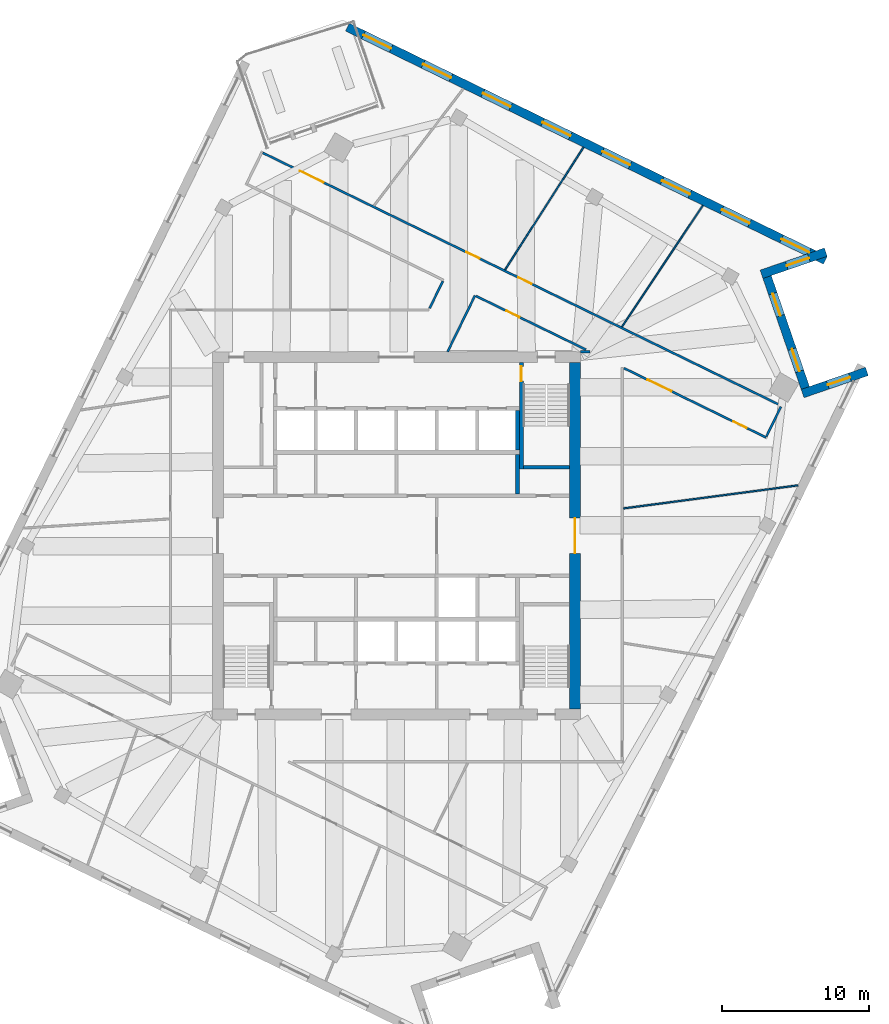
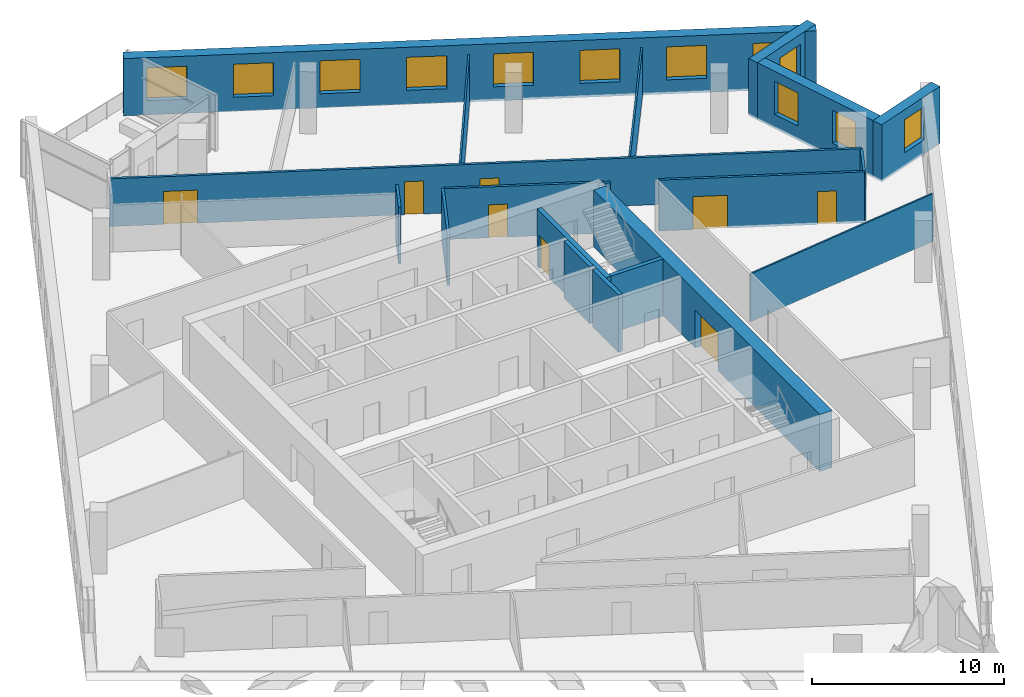
# One storey, part 10 of 13: 19 walls, 12 windows, 8 doors, 20 openings.
"""IFC4 building model written with IfcOpenShell, lengths in metres."""

from ifc_helpers import new_model, si_unit, direction, frame, frame_2d, origin, place, context, subcontext, project, spatial, rectangle, extrude, material, layer, layer_set, type_object, element, fill, save


model = new_model("IFC4")

# Units and contexts
model_context = context("Model", 3, precision=1e-05, world=origin(), true_north=direction((0.0, 1.0)))
body_context = subcontext(model_context, "Body", "Model", "MODEL_VIEW")
ifc_project = project(units=[si_unit("LENGTHUNIT", "METRE"), si_unit("AREAUNIT", "SQUARE_METRE"), si_unit("VOLUMEUNIT", "CUBIC_METRE"), si_unit("PLANEANGLEUNIT", "RADIAN"), si_unit("MASSUNIT", "GRAM", prefix="KILO")], contexts=[model_context])

# Site, building, storey
site_placement = place(None, origin())
site = spatial("IfcSite", under=ifc_project, at=site_placement, CompositionType="ELEMENT")
building_placement = place(site_placement, origin())
building = spatial("IfcBuilding", under=site, at=building_placement, Name="Dilmun Exchange Tower", CompositionType="ELEMENT")
storey_placement = place(building_placement, frame((0.0, 0.0, 282.89990234375)))
storey = spatial("IfcBuildingStorey", under=building, at=storey_placement, Name="L67", CompositionType="ELEMENT", Elevation=282.89990234375)

# Wall
ifc_material_1 = material(Name="Concrete C40/50", Category="concrete")
ifc_layer_1 = layer(ifc_material_1, 0.25)
ifc_layer_set_1 = layer_set([ifc_layer_1], Name="Concrete C40/50")
wall_type_1 = type_object("IfcWallType", Name="Core partition wall 250", PredefinedType="PARTITIONING", material=ifc_layer_set_1)
wall_1_placement = place(storey_placement, frame((8.25, 2.85498046875, 0.0), z_axis=(0.0, 0.0, 1.0), x_axis=(0.0, 1.0, 0.0)))
element("IfcWall", 1, at=wall_1_placement, inside=storey, type_object=wall_type_1, Name="L67 core partition wall 17", PredefinedType="PARTITIONING", context=body_context, shape_type="SweptSolid", body=[
    extrude(rectangle(XDim=2.68994140625, YDim=0.25, at=frame_2d((1.344970703125, 0.0))), origin(), (0.0, 0.0, 1.0), 3.64013671875),
])

# Wall, opening, door
ifc_material_2 = material(Name="Concrete C50/60", Category="concrete")
ifc_layer_2 = layer(ifc_material_2, 0.75)
ifc_layer_set_2 = layer_set([ifc_layer_2], Name="Concrete C50/60")
wall_type_2 = type_object("IfcWallType", Name="Core shear wall 750 Concrete C50/60", PredefinedType="SHEAR", material=ifc_layer_set_2)
wall_2_placement = place(storey_placement, frame((12.175048828125, -11.800048828125, 0.0), z_axis=(0.0, 0.0, 1.0), x_axis=(0.0, 1.0, 0.0)))
wall_2 = element("IfcWall", 2, at=wall_2_placement, inside=storey, type_object=wall_type_2, Name="L67 core shear wall E", PredefinedType="SHEAR", context=body_context, shape_type="SweptSolid", body=[
    extrude(rectangle(XDim=23.60009765625, YDim=0.75, at=frame_2d((11.800048828125, 0.0))), origin(), (0.0, 0.0, 1.0), 3.64013671875),
])
opening_1_placement = place(wall_2_placement, frame((10.60009765625, 0.0, 0.0)))
opening_1 = element("IfcOpeningElement", 3, at=opening_1_placement, cuts=wall_2, Name="Opening CD1", PredefinedType="OPENING", context=body_context, shape_type="SweptSolid", body=[
    extrude(rectangle(XDim=2.39990234375, YDim=2.39990234375, at=frame_2d((1.199951171875, 1.199951171875))), frame((0.0, 0.385009765625, 0.0), z_axis=(0.0, -1.0, 0.0), x_axis=(1.0, 0.0, 0.0)), (0.0, 0.0, 1.0), 0.77001953125),
])
ifc_material_3 = material(Name="Fire-rated steel door set", Category="steel")
door_type_1 = type_object("IfcDoorType", Name="Core lobby door 2400x2400", OperationType="DOUBLE_DOOR_DOUBLE_SWING", PredefinedType="DOOR", material=ifc_material_3)
door_1_placement = place(opening_1_placement, origin())
door_1 = element("IfcDoor", 4, at=door_1_placement, inside=storey, type_object=door_type_1, Name="L67 door Central lift lobby", OperationType="SINGLE_SWING_LEFT", OverallHeight=2.39990234375, OverallWidth=2.39990234375, PredefinedType="DOOR", context=body_context, shape_type="SweptSolid", body=[
    extrude(rectangle(XDim=2.39990234375, YDim=2.39990234375, at=frame_2d((1.199951171875, 1.199951171875))), frame((0.0, 0.02490234375, 0.0), z_axis=(0.0, -1.0, 0.0), x_axis=(1.0, 0.0, 0.0)), (0.0, 0.0, 1.0), 0.050048828125),
])
fill(opening_1, door_1)

# Wall, openings, doors
ifc_material_4 = material(Name="Corridor wall 150")
ifc_layer_3 = layer(ifc_material_4, 0.14990234375)
ifc_layer_set_3 = layer_set([ifc_layer_3], Name="Corridor wall 150")
wall_type_3 = type_object("IfcWallType", Name="Corridor wall 150", PredefinedType="PARTITIONING", material=ifc_layer_set_3)
wall_3_placement = place(storey_placement, frame((-9.103515625, 26.10400390625, 0.0), z_axis=(0.0, 0.0, 1.0), x_axis=(0.898795233888, -0.438368711864, 0.0)))
wall_3 = element("IfcWall", 5, at=wall_3_placement, inside=storey, type_object=wall_type_3, Name="Corridor wall", PredefinedType="PARTITIONING", context=body_context, shape_type="SweptSolid", body=[
    extrude(rectangle(XDim=39.325439453125, YDim=0.14990234375, at=frame_2d((19.66259765625, 0.0))), origin(), (0.0, 0.0, 1.0), 3.0400390625),
])
opening_2_placement = place(wall_3_placement, frame((2.800048828125, 0.0, 0.0)))
opening_2 = element("IfcOpeningElement", 6, at=opening_2_placement, cuts=wall_3, Name="Opening TF67-D05", PredefinedType="OPENING", context=body_context, shape_type="SweptSolid", body=[
    extrude(rectangle(XDim=1.800048828125, YDim=2.10009765625, at=frame_2d((0.89990234375, 1.050048828125))), frame((0.0, 0.0849609375, 0.0), z_axis=(0.0, -1.0, 0.0), x_axis=(1.0, 0.0, 0.0)), (0.0, 0.0, 1.0), 0.169921875),
])
opening_3_placement = place(wall_3_placement, frame((15.418701171875, 0.0, 0.0)))
opening_3 = element("IfcOpeningElement", 7, at=opening_3_placement, cuts=wall_3, Name="Opening TF67-D10", PredefinedType="OPENING", context=body_context, shape_type="SweptSolid", body=[
    extrude(rectangle(XDim=1.0, YDim=2.10009765625, at=frame_2d((0.5, 1.050048828125))), frame((0.0, 0.0849609375, 0.0), z_axis=(0.0, -1.0, 0.0), x_axis=(1.0, 0.0, 0.0)), (0.0, 0.0, 1.0), 0.169921875),
])
opening_4_placement = place(wall_3_placement, frame((19.371337890625, 0.0, 0.0)))
opening_4 = element("IfcOpeningElement", 8, at=opening_4_placement, cuts=wall_3, Name="Opening TF67-D14", PredefinedType="OPENING", context=body_context, shape_type="SweptSolid", body=[
    extrude(rectangle(XDim=1.0, YDim=2.10009765625, at=frame_2d((0.5, 1.050048828125))), frame((0.0, 0.0849609375, 0.0), z_axis=(0.0, -1.0, 0.0), x_axis=(1.0, 0.0, 0.0)), (0.0, 0.0, 1.0), 0.169921875),
])
ifc_material_5 = material(Name="Fire door 1000 x 2100")
door_type_2 = type_object("IfcDoorType", Name="Fire door 1000 x 2100", OperationType="NOTDEFINED", PredefinedType="DOOR", material=ifc_material_5)
door_2_placement = place(opening_3_placement, origin())
door_2 = element("IfcDoor", 9, at=door_2_placement, inside=storey, type_object=door_type_2, Name="Door TF67-D10", OperationType="SINGLE_SWING_LEFT", OverallHeight=2.10009765625, OverallWidth=1.0, PredefinedType="DOOR", context=body_context, shape_type="SweptSolid", body=[
    extrude(rectangle(XDim=1.0, YDim=2.10009765625, at=frame_2d((0.5, 1.050048828125))), frame((0.0, 0.02490234375, 0.0), z_axis=(0.0, -1.0, 0.0), x_axis=(1.0, 0.0, 0.0)), (0.0, 0.0, 1.0), 0.050048828125),
])
fill(opening_3, door_2)
door_3_placement = place(opening_4_placement, origin())
door_3 = element("IfcDoor", 10, at=door_3_placement, inside=storey, type_object=door_type_2, Name="Door TF67-D14", OperationType="SINGLE_SWING_RIGHT", OverallHeight=2.10009765625, OverallWidth=1.0, PredefinedType="DOOR", context=body_context, shape_type="SweptSolid", body=[
    extrude(rectangle(XDim=1.0, YDim=2.10009765625, at=frame_2d((0.5, 1.050048828125))), frame((0.0, 0.02490234375, 0.0), z_axis=(0.0, -1.0, 0.0), x_axis=(1.0, 0.0, 0.0)), (0.0, 0.0, 1.0), 0.050048828125),
])
fill(opening_4, door_3)
ifc_material_6 = material(Name="Fire door pair 1800 x 2100")
door_type_3 = type_object("IfcDoorType", Name="Fire door pair 1800 x 2100", OperationType="NOTDEFINED", PredefinedType="DOOR", material=ifc_material_6)
door_4_placement = place(opening_2_placement, origin())
door_4 = element("IfcDoor", 11, at=door_4_placement, inside=storey, type_object=door_type_3, Name="Door TF67-D05", OperationType="DOUBLE_DOOR_SINGLE_SWING", OverallHeight=2.10009765625, OverallWidth=1.800048828125, PredefinedType="DOOR", context=body_context, shape_type="SweptSolid", body=[
    extrude(rectangle(XDim=1.800048828125, YDim=2.10009765625, at=frame_2d((0.89990234375, 1.050048828125))), frame((0.0, 0.02490234375, 0.0), z_axis=(0.0, -1.0, 0.0), x_axis=(1.0, 0.0, 0.0)), (0.0, 0.0, 1.0), 0.050048828125),
])
fill(opening_2, door_4)

# Walls
wall_4_placement = place(storey_placement, frame((2.2626953125, 15.5078125, 0.0), z_axis=(0.0, 0.0, 1.0), x_axis=(0.438351446917, 0.898803654301, 0.0)))
element("IfcWall", 12, at=wall_4_placement, inside=storey, type_object=wall_type_3, Name="Corridor wall", PredefinedType="PARTITIONING", context=body_context, shape_type="SweptSolid", body=[
    extrude(rectangle(XDim=2.065673828125, YDim=0.14990234375, at=frame_2d((1.03271484375, 0.0))), origin(), (0.0, 0.0, 1.0), 3.64013671875),
])
wall_5_placement = place(storey_placement, frame((3.489990234375, 12.550048828125, 0.0), z_axis=(0.0, 0.0, 1.0), x_axis=(0.438553431108, 0.898705117412, 0.0)))
element("IfcWall", 13, at=wall_5_placement, inside=storey, type_object=wall_type_3, Name="Corridor wall", PredefinedType="PARTITIONING", context=body_context, shape_type="SweptSolid", body=[
    extrude(rectangle(XDim=4.261474609375, YDim=0.14990234375, at=frame_2d((2.130859375, 0.0))), origin(), (0.0, 0.0, 1.0), 3.239990234375),
])

# Wall, opening, door
wall_6_placement = place(storey_placement, frame((5.426513671875, 16.34716796875, 0.0), z_axis=(0.0, 0.0, 1.0), x_axis=(0.898771260275, -0.43841786198, 0.0)))
wall_6 = element("IfcWall", 14, at=wall_6_placement, inside=storey, type_object=wall_type_3, Name="Corridor wall", PredefinedType="PARTITIONING", context=body_context, shape_type="SweptSolid", body=[
    extrude(rectangle(XDim=8.33642578125, YDim=0.14990234375, at=frame_2d((4.168212890625, 0.0))), origin(), (0.0, 0.0, 1.0), 3.239990234375),
])
opening_5_placement = place(wall_6_placement, frame((2.300048828125, 0.0, 0.0)))
opening_5 = element("IfcOpeningElement", 15, at=opening_5_placement, cuts=wall_6, Name="Opening TF67-D11", PredefinedType="OPENING", context=body_context, shape_type="SweptSolid", body=[
    extrude(rectangle(XDim=1.0, YDim=2.10009765625, at=frame_2d((0.5, 1.050048828125))), frame((0.0, 0.0849609375, 0.0), z_axis=(0.0, -1.0, 0.0), x_axis=(1.0, 0.0, 0.0)), (0.0, 0.0, 1.0), 0.169921875),
])
door_5_placement = place(opening_5_placement, frame((1.0, 0.0, 0.0), z_axis=(0.0, 0.0, 1.0), x_axis=(-1.0, 0.0, 0.0)))
door_5 = element("IfcDoor", 16, at=door_5_placement, inside=storey, type_object=door_type_2, Name="Door TF67-D11", OperationType="SINGLE_SWING_RIGHT", OverallHeight=2.10009765625, OverallWidth=1.0, PredefinedType="DOOR", context=body_context, shape_type="SweptSolid", body=[
    extrude(rectangle(XDim=1.0, YDim=2.10009765625, at=frame_2d((0.5, 1.050048828125))), frame((0.0, 0.02490234375, 0.0), z_axis=(0.0, -1.0, 0.0), x_axis=(1.0, 0.0, 0.0)), (0.0, 0.0, 1.0), 0.050048828125),
])
fill(opening_5, door_5)

# Wall
wall_7_placement = place(storey_placement, frame((12.550048828125, 12.550048828125, 0.0), z_axis=(0.0, 0.0, 1.0), x_axis=(1.0, 0.0, 0.0)))
element("IfcWall", 17, at=wall_7_placement, inside=storey, type_object=wall_type_3, Name="Corridor wall", PredefinedType="PARTITIONING", context=body_context, shape_type="SweptSolid", body=[
    extrude(rectangle(XDim=0.660888671875, YDim=0.14990234375, at=frame_2d((0.33056640625, 0.0))), origin(), (0.0, 0.0, 1.0), 3.239990234375),
])

# Wall, openings, doors
wall_8_placement = place(storey_placement, frame((15.5078125, 11.430419921875, 0.0), z_axis=(0.0, 0.0, 1.0), x_axis=(0.898789572526, -0.438380319264, 0.0)))
wall_8 = element("IfcWall", 18, at=wall_8_placement, inside=storey, type_object=wall_type_3, Name="Corridor wall", PredefinedType="PARTITIONING", context=body_context, shape_type="SweptSolid", body=[
    extrude(rectangle(XDim=10.7724609375, YDim=0.14990234375, at=frame_2d((5.38623046875, 0.0))), origin(), (0.0, 0.0, 1.0), 3.239990234375),
])
opening_6_placement = place(wall_8_placement, frame((1.800048828125, 0.0, 0.0)))
opening_6 = element("IfcOpeningElement", 19, at=opening_6_placement, cuts=wall_8, Name="Opening TF67-D16", PredefinedType="OPENING", context=body_context, shape_type="SweptSolid", body=[
    extrude(rectangle(XDim=1.800048828125, YDim=2.10009765625, at=frame_2d((0.89990234375, 1.050048828125))), frame((0.0, 0.0849609375, 0.0), z_axis=(0.0, -1.0, 0.0), x_axis=(1.0, 0.0, 0.0)), (0.0, 0.0, 1.0), 0.169921875),
])
opening_7_placement = place(wall_8_placement, frame((8.300048828125, 0.0, 0.0)))
opening_7 = element("IfcOpeningElement", 20, at=opening_7_placement, cuts=wall_8, Name="Opening TF67-D17", PredefinedType="OPENING", context=body_context, shape_type="SweptSolid", body=[
    extrude(rectangle(XDim=1.0, YDim=2.10009765625, at=frame_2d((0.5, 1.050048828125))), frame((0.0, 0.0849609375, 0.0), z_axis=(0.0, -1.0, 0.0), x_axis=(1.0, 0.0, 0.0)), (0.0, 0.0, 1.0), 0.169921875),
])
door_6_placement = place(opening_7_placement, frame((1.0, 0.0, 0.0), z_axis=(0.0, 0.0, 1.0), x_axis=(-1.0, 0.0, 0.0)))
door_6 = element("IfcDoor", 21, at=door_6_placement, inside=storey, type_object=door_type_2, Name="Door TF67-D17", OperationType="SINGLE_SWING_RIGHT", OverallHeight=2.10009765625, OverallWidth=1.0, PredefinedType="DOOR", context=body_context, shape_type="SweptSolid", body=[
    extrude(rectangle(XDim=1.0, YDim=2.10009765625, at=frame_2d((0.5, 1.050048828125))), frame((0.0, 0.02490234375, 0.0), z_axis=(0.0, -1.0, 0.0), x_axis=(1.0, 0.0, 0.0)), (0.0, 0.0, 1.0), 0.050048828125),
])
fill(opening_7, door_6)
door_7_placement = place(opening_6_placement, frame((1.800048828125, 0.0, 0.0), z_axis=(0.0, 0.0, 1.0), x_axis=(-1.0, 0.0, 0.0)))
door_7 = element("IfcDoor", 22, at=door_7_placement, inside=storey, type_object=door_type_3, Name="Door TF67-D16", OperationType="DOUBLE_DOOR_SINGLE_SWING", OverallHeight=2.10009765625, OverallWidth=1.800048828125, PredefinedType="DOOR", context=body_context, shape_type="SweptSolid", body=[
    extrude(rectangle(XDim=1.800048828125, YDim=2.10009765625, at=frame_2d((0.89990234375, 1.050048828125))), frame((0.0, 0.02490234375, 0.0), z_axis=(0.0, -1.0, 0.0), x_axis=(1.0, 0.0, 0.0)), (0.0, 0.0, 1.0), 0.050048828125),
])
fill(opening_6, door_7)

# Walls
wall_9_placement = place(storey_placement, frame((25.222900390625, 6.775390625, 0.0), z_axis=(0.0, 0.0, 1.0), x_axis=(0.438293210917, 0.898832053981, 0.0)))
element("IfcWall", 23, at=wall_9_placement, inside=storey, type_object=wall_type_3, Name="Corridor wall", PredefinedType="PARTITIONING", context=body_context, shape_type="SweptSolid", body=[
    extrude(rectangle(XDim=2.249755859375, YDim=0.14990234375, at=frame_2d((1.125, 0.0))), origin(), (0.0, 0.0, 1.0), 3.0400390625),
])
ifc_layer_4 = layer(ifc_material_1, 0.25)
ifc_layer_set_4 = layer_set([ifc_layer_4], Name="Concrete C40/50")
wall_type_4 = type_object("IfcWallType", Name="Lift shaft wall 250", PredefinedType="SOLIDWALL", material=ifc_layer_set_4)
wall_10_placement = place(storey_placement, frame((8.25, 5.85009765625, 0.0), z_axis=(0.0, 0.0, 1.0), x_axis=(0.0, 1.0, 0.0)))
element("IfcWall", 24, at=wall_10_placement, inside=storey, type_object=wall_type_4, Name="L67 lift shaft divider N26", PredefinedType="SOLIDWALL", context=body_context, shape_type="SweptSolid", body=[
    extrude(rectangle(XDim=2.699951171875, YDim=0.25, at=frame_2d((1.35009765625, 0.0))), origin(), (0.0, 0.0, 1.0), 3.64013671875),
])
ifc_material_7 = material(Name="Partition 100")
ifc_layer_5 = layer(ifc_material_7, 0.10009765625)
ifc_layer_set_5 = layer_set([ifc_layer_5], Name="Partition 100")
wall_type_5 = type_object("IfcWallType", Name="Partition 100", PredefinedType="PARTITIONING", material=ifc_layer_set_5)
wall_11_placement = place(storey_placement, frame((7.407958984375, 18.140380859375, 0.0), z_axis=(0.0, 0.0, 1.0), x_axis=(0.539403798029, 0.842047233041, 0.0)))
element("IfcWall", 25, at=wall_11_placement, inside=storey, type_object=wall_type_5, Name="Partition", PredefinedType="PARTITIONING", context=body_context, shape_type="SweptSolid", body=[
    extrude(rectangle(XDim=9.91259765625, YDim=0.10009765625, at=frame_2d((4.956298828125, 0.0))), origin(), (0.0, 0.0, 1.0), 3.0400390625),
])
wall_12_placement = place(storey_placement, frame((15.379638671875, 14.253662109375, 0.0), z_axis=(0.0, 0.0, 1.0), x_axis=(0.554513024901, 0.832175044816, 0.0)))
element("IfcWall", 26, at=wall_12_placement, inside=storey, type_object=wall_type_5, Name="Partition", PredefinedType="PARTITIONING", context=body_context, shape_type="SweptSolid", body=[
    extrude(rectangle(XDim=9.93408203125, YDim=0.10009765625, at=frame_2d((4.967041015625, 0.0))), origin(), (0.0, 0.0, 1.0), 3.0400390625),
])
wall_13_placement = place(storey_placement, frame((15.481689453125, 1.867919921875, 0.0), z_axis=(0.0, 0.0, 1.0), x_axis=(0.991377248415, 0.131038739785, 0.0)))
element("IfcWall", 27, at=wall_13_placement, inside=storey, type_object=wall_type_5, Name="Partition", PredefinedType="PARTITIONING", context=body_context, shape_type="SweptSolid", body=[
    extrude(rectangle(XDim=11.99853515625, YDim=0.10009765625, at=frame_2d((5.999267578125, 0.0))), origin(), (0.0, 0.0, 1.0), 3.0400390625),
])

# Wall, opening, window
ifc_material_8 = material(Name="Precast concrete C50/60", Category="concrete")
ifc_layer_6 = layer(ifc_material_8, 0.60009765625)
ifc_layer_set_6 = layer_set([ifc_layer_6], Name="Precast concrete C50/60")
wall_type_6 = type_object("IfcWallType", Name="Precast stone-clad wall 600", PredefinedType="STANDARD", material=ifc_layer_set_6)
wall_14_placement = place(storey_placement, frame((32.0703125, 11.206298828125, 0.0), z_axis=(0.0, 0.0, 1.0), x_axis=(-0.945524563242, -0.325550764561, 0.0)))
wall_14 = element("IfcWall", 28, at=wall_14_placement, inside=storey, type_object=wall_type_6, Name="Facade wall L67-12", PredefinedType="STANDARD", context=body_context, shape_type="SweptSolid", body=[
    extrude(rectangle(XDim=4.63525390625, YDim=0.60009765625, at=frame_2d((2.317626953125, 0.0))), origin(), (0.0, 0.0, 1.0), 3.64013671875),
])
opening_8_placement = place(wall_14_placement, frame((1.2177734375, 0.0, 0.89990234375)))
opening_8 = element("IfcOpeningElement", 29, at=opening_8_placement, cuts=wall_14, Name="Opening W160-210", PredefinedType="OPENING", context=body_context, shape_type="SweptSolid", body=[
    extrude(rectangle(XDim=1.60009765625, YDim=2.10009765625, at=frame_2d((0.800048828125, 1.050048828125))), frame((0.0, 0.31005859375, 0.0), z_axis=(0.0, -1.0, 0.0), x_axis=(1.0, 0.0, 0.0)), (0.0, 0.0, 1.0), 0.6201171875),
])
ifc_material_9 = material(Name="Clear low-emissivity glass in aluminium frame", Category="aluminium")
window_type_1 = type_object("IfcWindowType", Name="Punched window 1600 x 2100", PartitioningType="DOUBLE_PANEL_VERTICAL", PredefinedType="WINDOW", material=ifc_material_9)
window_1_placement = place(opening_8_placement, origin())
window_1 = element("IfcWindow", 30, at=window_1_placement, inside=storey, type_object=window_type_1, Name="Window 13.1", OverallHeight=2.10009765625, OverallWidth=1.60009765625, PartitioningType="SINGLE_PANEL", PredefinedType="WINDOW", context=body_context, shape_type="SweptSolid", body=[
    extrude(rectangle(XDim=1.60009765625, YDim=2.10009765625, at=frame_2d((0.800048828125, 1.050048828125))), frame((0.0, 0.030029296875, 0.0), z_axis=(0.0, -1.0, 0.0), x_axis=(1.0, 0.0, 0.0)), (0.0, 0.0, 1.0), 0.06005859375),
])
fill(opening_8, window_1)

# Wall, openings, windows
wall_15_placement = place(storey_placement, frame((27.873291015625, 10.07861328125, 0.0), z_axis=(0.0, 0.0, 1.0), x_axis=(-0.325569297229, 0.945518182111, 0.0)))
wall_15 = element("IfcWall", 31, at=wall_15_placement, inside=storey, type_object=wall_type_6, Name="Facade wall L67-13", PredefinedType="STANDARD", context=body_context, shape_type="SweptSolid", body=[
    extrude(rectangle(XDim=7.999755859375, YDim=0.60009765625, at=frame_2d((4.0, 0.0))), origin(), (0.0, 0.0, 1.0), 3.64013671875),
])
opening_9_placement = place(wall_15_placement, frame((1.199951171875, 0.0, 0.89990234375)))
opening_9 = element("IfcOpeningElement", 32, at=opening_9_placement, cuts=wall_15, Name="Opening W160-210", PredefinedType="OPENING", context=body_context, shape_type="SweptSolid", body=[
    extrude(rectangle(XDim=1.60009765625, YDim=2.10009765625, at=frame_2d((0.800048828125, 1.050048828125))), frame((0.0, 0.31005859375, 0.0), z_axis=(0.0, -1.0, 0.0), x_axis=(1.0, 0.0, 0.0)), (0.0, 0.0, 1.0), 0.6201171875),
])
opening_10_placement = place(wall_15_placement, frame((5.199951171875, 0.0, 0.89990234375)))
opening_10 = element("IfcOpeningElement", 33, at=opening_10_placement, cuts=wall_15, Name="Opening W160-210", PredefinedType="OPENING", context=body_context, shape_type="SweptSolid", body=[
    extrude(rectangle(XDim=1.60009765625, YDim=2.10009765625, at=frame_2d((0.800048828125, 1.050048828125))), frame((0.0, 0.31005859375, 0.0), z_axis=(0.0, -1.0, 0.0), x_axis=(1.0, 0.0, 0.0)), (0.0, 0.0, 1.0), 0.6201171875),
])
window_2_placement = place(opening_9_placement, origin())
window_2 = element("IfcWindow", 34, at=window_2_placement, inside=storey, type_object=window_type_1, Name="Window 14.1", OverallHeight=2.10009765625, OverallWidth=1.60009765625, PartitioningType="SINGLE_PANEL", PredefinedType="WINDOW", context=body_context, shape_type="SweptSolid", body=[
    extrude(rectangle(XDim=1.60009765625, YDim=2.10009765625, at=frame_2d((0.800048828125, 1.050048828125))), frame((0.0, 0.030029296875, 0.0), z_axis=(0.0, -1.0, 0.0), x_axis=(1.0, 0.0, 0.0)), (0.0, 0.0, 1.0), 0.06005859375),
])
fill(opening_9, window_2)
window_3_placement = place(opening_10_placement, origin())
window_3 = element("IfcWindow", 35, at=window_3_placement, inside=storey, type_object=window_type_1, Name="Window 14.2", OverallHeight=2.10009765625, OverallWidth=1.60009765625, PartitioningType="SINGLE_PANEL", PredefinedType="WINDOW", context=body_context, shape_type="SweptSolid", body=[
    extrude(rectangle(XDim=1.60009765625, YDim=2.10009765625, at=frame_2d((0.800048828125, 1.050048828125))), frame((0.0, 0.030029296875, 0.0), z_axis=(0.0, -1.0, 0.0), x_axis=(1.0, 0.0, 0.0)), (0.0, 0.0, 1.0), 0.06005859375),
])
fill(opening_10, window_3)

# Wall, opening, window
wall_16_placement = place(storey_placement, frame((24.8876953125, 17.82861328125, 0.0), z_axis=(0.0, 0.0, 1.0), x_axis=(0.945508349791, 0.325597850847, 0.0)))
wall_16 = element("IfcWall", 36, at=wall_16_placement, inside=storey, type_object=wall_type_6, Name="Facade wall L67-14", PredefinedType="STANDARD", context=body_context, shape_type="SweptSolid", body=[
    extrude(rectangle(XDim=4.635498046875, YDim=0.60009765625, at=frame_2d((2.31787109375, 0.0))), origin(), (0.0, 0.0, 1.0), 3.64013671875),
])
opening_11_placement = place(wall_16_placement, frame((1.81787109375, 0.0, 0.89990234375)))
opening_11 = element("IfcOpeningElement", 37, at=opening_11_placement, cuts=wall_16, Name="Opening W160-210", PredefinedType="OPENING", context=body_context, shape_type="SweptSolid", body=[
    extrude(rectangle(XDim=1.60009765625, YDim=2.10009765625, at=frame_2d((0.800048828125, 1.050048828125))), frame((0.0, 0.31005859375, 0.0), z_axis=(0.0, -1.0, 0.0), x_axis=(1.0, 0.0, 0.0)), (0.0, 0.0, 1.0), 0.6201171875),
])
window_4_placement = place(opening_11_placement, origin())
window_4 = element("IfcWindow", 38, at=window_4_placement, inside=storey, type_object=window_type_1, Name="Window 15.1", OverallHeight=2.10009765625, OverallWidth=1.60009765625, PartitioningType="SINGLE_PANEL", PredefinedType="WINDOW", context=body_context, shape_type="SweptSolid", body=[
    extrude(rectangle(XDim=1.60009765625, YDim=2.10009765625, at=frame_2d((0.800048828125, 1.050048828125))), frame((0.0, 0.030029296875, 0.0), z_axis=(0.0, -1.0, 0.0), x_axis=(1.0, 0.0, 0.0)), (0.0, 0.0, 1.0), 0.06005859375),
])
fill(opening_11, window_4)

# Wall, openings, windows
wall_17_placement = place(storey_placement, frame((29.23681640625, 18.78466796875, 0.0), z_axis=(0.0, 0.0, 1.0), x_axis=(-0.898794534192, 0.438370146458, 0.0)))
wall_17 = element("IfcWall", 39, at=wall_17_placement, inside=storey, type_object=wall_type_6, Name="Facade wall L67-15", PredefinedType="STANDARD", context=body_context, shape_type="SweptSolid", body=[
    extrude(rectangle(XDim=36.2431640625, YDim=0.60009765625, at=frame_2d((18.12158203125, 0.0))), origin(), (0.0, 0.0, 1.0), 3.64013671875),
])
opening_12_placement = place(wall_17_placement, frame((1.215087890625, 0.0, 0.89990234375)))
opening_12 = element("IfcOpeningElement", 40, at=opening_12_placement, cuts=wall_17, Name="Opening W210-210", PredefinedType="OPENING", context=body_context, shape_type="SweptSolid", body=[
    extrude(rectangle(XDim=2.10009765625, YDim=2.10009765625, at=frame_2d((1.050048828125, 1.050048828125))), frame((0.0, 0.31005859375, 0.0), z_axis=(0.0, -1.0, 0.0), x_axis=(1.0, 0.0, 0.0)), (0.0, 0.0, 1.0), 0.6201171875),
])
opening_13_placement = place(wall_17_placement, frame((5.74560546875, 0.0, 0.89990234375)))
opening_13 = element("IfcOpeningElement", 41, at=opening_13_placement, cuts=wall_17, Name="Opening W210-210", PredefinedType="OPENING", context=body_context, shape_type="SweptSolid", body=[
    extrude(rectangle(XDim=2.10009765625, YDim=2.10009765625, at=frame_2d((1.050048828125, 1.050048828125))), frame((0.0, 0.31005859375, 0.0), z_axis=(0.0, -1.0, 0.0), x_axis=(1.0, 0.0, 0.0)), (0.0, 0.0, 1.0), 0.6201171875),
])
opening_14_placement = place(wall_17_placement, frame((10.27587890625, 0.0, 0.89990234375)))
opening_14 = element("IfcOpeningElement", 42, at=opening_14_placement, cuts=wall_17, Name="Opening W210-210", PredefinedType="OPENING", context=body_context, shape_type="SweptSolid", body=[
    extrude(rectangle(XDim=2.10009765625, YDim=2.10009765625, at=frame_2d((1.050048828125, 1.050048828125))), frame((0.0, 0.31005859375, 0.0), z_axis=(0.0, -1.0, 0.0), x_axis=(1.0, 0.0, 0.0)), (0.0, 0.0, 1.0), 0.6201171875),
])
opening_15_placement = place(wall_17_placement, frame((14.806396484375, 0.0, 0.89990234375)))
opening_15 = element("IfcOpeningElement", 43, at=opening_15_placement, cuts=wall_17, Name="Opening W210-210", PredefinedType="OPENING", context=body_context, shape_type="SweptSolid", body=[
    extrude(rectangle(XDim=2.10009765625, YDim=2.10009765625, at=frame_2d((1.050048828125, 1.050048828125))), frame((0.0, 0.31005859375, 0.0), z_axis=(0.0, -1.0, 0.0), x_axis=(1.0, 0.0, 0.0)), (0.0, 0.0, 1.0), 0.6201171875),
])
opening_16_placement = place(wall_17_placement, frame((19.3369140625, 0.0, 0.89990234375)))
opening_16 = element("IfcOpeningElement", 44, at=opening_16_placement, cuts=wall_17, Name="Opening W210-210", PredefinedType="OPENING", context=body_context, shape_type="SweptSolid", body=[
    extrude(rectangle(XDim=2.10009765625, YDim=2.10009765625, at=frame_2d((1.050048828125, 1.050048828125))), frame((0.0, 0.31005859375, 0.0), z_axis=(0.0, -1.0, 0.0), x_axis=(1.0, 0.0, 0.0)), (0.0, 0.0, 1.0), 0.6201171875),
])
opening_17_placement = place(wall_17_placement, frame((23.8671875, 0.0, 0.89990234375)))
opening_17 = element("IfcOpeningElement", 45, at=opening_17_placement, cuts=wall_17, Name="Opening W210-210", PredefinedType="OPENING", context=body_context, shape_type="SweptSolid", body=[
    extrude(rectangle(XDim=2.10009765625, YDim=2.10009765625, at=frame_2d((1.050048828125, 1.050048828125))), frame((0.0, 0.31005859375, 0.0), z_axis=(0.0, -1.0, 0.0), x_axis=(1.0, 0.0, 0.0)), (0.0, 0.0, 1.0), 0.6201171875),
])
opening_18_placement = place(wall_17_placement, frame((28.397705078125, 0.0, 0.89990234375)))
opening_18 = element("IfcOpeningElement", 46, at=opening_18_placement, cuts=wall_17, Name="Opening W210-210", PredefinedType="OPENING", context=body_context, shape_type="SweptSolid", body=[
    extrude(rectangle(XDim=2.10009765625, YDim=2.10009765625, at=frame_2d((1.050048828125, 1.050048828125))), frame((0.0, 0.31005859375, 0.0), z_axis=(0.0, -1.0, 0.0), x_axis=(1.0, 0.0, 0.0)), (0.0, 0.0, 1.0), 0.6201171875),
])
opening_19_placement = place(wall_17_placement, frame((32.927978515625, 0.0, 0.89990234375)))
opening_19 = element("IfcOpeningElement", 47, at=opening_19_placement, cuts=wall_17, Name="Opening W210-210", PredefinedType="OPENING", context=body_context, shape_type="SweptSolid", body=[
    extrude(rectangle(XDim=2.10009765625, YDim=2.10009765625, at=frame_2d((1.050048828125, 1.050048828125))), frame((0.0, 0.31005859375, 0.0), z_axis=(0.0, -1.0, 0.0), x_axis=(1.0, 0.0, 0.0)), (0.0, 0.0, 1.0), 0.6201171875),
])
window_type_2 = type_object("IfcWindowType", Name="Punched window 2100 x 2100", PartitioningType="DOUBLE_PANEL_VERTICAL", PredefinedType="WINDOW", material=ifc_material_9)
window_5_placement = place(opening_12_placement, origin())
window_5 = element("IfcWindow", 48, at=window_5_placement, inside=storey, type_object=window_type_2, Name="Window 16.1", OverallHeight=2.10009765625, OverallWidth=2.10009765625, PartitioningType="SINGLE_PANEL", PredefinedType="WINDOW", context=body_context, shape_type="SweptSolid", body=[
    extrude(rectangle(XDim=2.10009765625, YDim=2.10009765625, at=frame_2d((1.050048828125, 1.050048828125))), frame((0.0, 0.030029296875, 0.0), z_axis=(0.0, -1.0, 0.0), x_axis=(1.0, 0.0, 0.0)), (0.0, 0.0, 1.0), 0.06005859375),
])
fill(opening_12, window_5)
window_6_placement = place(opening_13_placement, origin())
window_6 = element("IfcWindow", 49, at=window_6_placement, inside=storey, type_object=window_type_2, Name="Window 16.2", OverallHeight=2.10009765625, OverallWidth=2.10009765625, PartitioningType="SINGLE_PANEL", PredefinedType="WINDOW", context=body_context, shape_type="SweptSolid", body=[
    extrude(rectangle(XDim=2.10009765625, YDim=2.10009765625, at=frame_2d((1.050048828125, 1.050048828125))), frame((0.0, 0.030029296875, 0.0), z_axis=(0.0, -1.0, 0.0), x_axis=(1.0, 0.0, 0.0)), (0.0, 0.0, 1.0), 0.06005859375),
])
fill(opening_13, window_6)
window_7_placement = place(opening_14_placement, origin())
window_7 = element("IfcWindow", 50, at=window_7_placement, inside=storey, type_object=window_type_2, Name="Window 16.3", OverallHeight=2.10009765625, OverallWidth=2.10009765625, PartitioningType="SINGLE_PANEL", PredefinedType="WINDOW", context=body_context, shape_type="SweptSolid", body=[
    extrude(rectangle(XDim=2.10009765625, YDim=2.10009765625, at=frame_2d((1.050048828125, 1.050048828125))), frame((0.0, 0.030029296875, 0.0), z_axis=(0.0, -1.0, 0.0), x_axis=(1.0, 0.0, 0.0)), (0.0, 0.0, 1.0), 0.06005859375),
])
fill(opening_14, window_7)
window_8_placement = place(opening_15_placement, origin())
window_8 = element("IfcWindow", 51, at=window_8_placement, inside=storey, type_object=window_type_2, Name="Window 16.4", OverallHeight=2.10009765625, OverallWidth=2.10009765625, PartitioningType="SINGLE_PANEL", PredefinedType="WINDOW", context=body_context, shape_type="SweptSolid", body=[
    extrude(rectangle(XDim=2.10009765625, YDim=2.10009765625, at=frame_2d((1.050048828125, 1.050048828125))), frame((0.0, 0.030029296875, 0.0), z_axis=(0.0, -1.0, 0.0), x_axis=(1.0, 0.0, 0.0)), (0.0, 0.0, 1.0), 0.06005859375),
])
fill(opening_15, window_8)
window_9_placement = place(opening_16_placement, origin())
window_9 = element("IfcWindow", 52, at=window_9_placement, inside=storey, type_object=window_type_2, Name="Window 16.5", OverallHeight=2.10009765625, OverallWidth=2.10009765625, PartitioningType="SINGLE_PANEL", PredefinedType="WINDOW", context=body_context, shape_type="SweptSolid", body=[
    extrude(rectangle(XDim=2.10009765625, YDim=2.10009765625, at=frame_2d((1.050048828125, 1.050048828125))), frame((0.0, 0.030029296875, 0.0), z_axis=(0.0, -1.0, 0.0), x_axis=(1.0, 0.0, 0.0)), (0.0, 0.0, 1.0), 0.06005859375),
])
fill(opening_16, window_9)
window_10_placement = place(opening_17_placement, origin())
window_10 = element("IfcWindow", 53, at=window_10_placement, inside=storey, type_object=window_type_2, Name="Window 16.6", OverallHeight=2.10009765625, OverallWidth=2.10009765625, PartitioningType="SINGLE_PANEL", PredefinedType="WINDOW", context=body_context, shape_type="SweptSolid", body=[
    extrude(rectangle(XDim=2.10009765625, YDim=2.10009765625, at=frame_2d((1.050048828125, 1.050048828125))), frame((0.0, 0.030029296875, 0.0), z_axis=(0.0, -1.0, 0.0), x_axis=(1.0, 0.0, 0.0)), (0.0, 0.0, 1.0), 0.06005859375),
])
fill(opening_17, window_10)
window_11_placement = place(opening_18_placement, origin())
window_11 = element("IfcWindow", 54, at=window_11_placement, inside=storey, type_object=window_type_2, Name="Window 16.7", OverallHeight=2.10009765625, OverallWidth=2.10009765625, PartitioningType="SINGLE_PANEL", PredefinedType="WINDOW", context=body_context, shape_type="SweptSolid", body=[
    extrude(rectangle(XDim=2.10009765625, YDim=2.10009765625, at=frame_2d((1.050048828125, 1.050048828125))), frame((0.0, 0.030029296875, 0.0), z_axis=(0.0, -1.0, 0.0), x_axis=(1.0, 0.0, 0.0)), (0.0, 0.0, 1.0), 0.06005859375),
])
fill(opening_18, window_11)
window_12_placement = place(opening_19_placement, origin())
window_12 = element("IfcWindow", 55, at=window_12_placement, inside=storey, type_object=window_type_2, Name="Window 16.8", OverallHeight=2.10009765625, OverallWidth=2.10009765625, PartitioningType="SINGLE_PANEL", PredefinedType="WINDOW", context=body_context, shape_type="SweptSolid", body=[
    extrude(rectangle(XDim=2.10009765625, YDim=2.10009765625, at=frame_2d((1.050048828125, 1.050048828125))), frame((0.0, 0.030029296875, 0.0), z_axis=(0.0, -1.0, 0.0), x_axis=(1.0, 0.0, 0.0)), (0.0, 0.0, 1.0), 0.06005859375),
])
fill(opening_19, window_12)

# Wall
ifc_layer_7 = layer(ifc_material_1, 0.25)
ifc_layer_set_7 = layer_set([ifc_layer_7], Name="Concrete C40/50")
wall_type_7 = type_object("IfcWallType", Name="Stair end wall 250", PredefinedType="SOLIDWALL", material=ifc_layer_set_7)
wall_18_placement = place(storey_placement, frame((8.64990234375, 4.675048828125, 0.0), z_axis=(0.0, 0.0, 1.0), x_axis=(1.0, 0.0, 0.0)))
element("IfcWall", 56, at=wall_18_placement, inside=storey, type_object=wall_type_7, Name="L67 ST1 far wall", PredefinedType="SOLIDWALL", context=body_context, shape_type="SweptSolid", body=[
    extrude(rectangle(XDim=3.150146484375, YDim=0.25, at=frame_2d((1.5751953125, 0.0))), origin(), (0.0, 0.0, 1.0), 3.64013671875),
])

# Wall, opening, door
ifc_layer_8 = layer(ifc_material_1, 0.27490234375)
ifc_layer_set_8 = layer_set([ifc_layer_8], Name="Concrete C40/50")
wall_type_8 = type_object("IfcWallType", Name="Stair wall 275", PredefinedType="SOLIDWALL", material=ifc_layer_set_8)
wall_19_placement = place(storey_placement, frame((8.512451171875, 4.550048828125, 0.0), z_axis=(0.0, 0.0, 1.0), x_axis=(0.0, 1.0, 0.0)))
wall_19 = element("IfcWall", 57, at=wall_19_placement, inside=storey, type_object=wall_type_8, Name="L67 ST1 wall to lift block", PredefinedType="SOLIDWALL", context=body_context, shape_type="SweptSolid", body=[
    extrude(rectangle(XDim=7.25, YDim=0.27490234375, at=frame_2d((3.625, 0.0))), origin(), (0.0, 0.0, 1.0), 3.64013671875),
])
opening_20_placement = place(wall_19_placement, frame((6.0, 0.0, 0.0)))
opening_20 = element("IfcOpeningElement", 58, at=opening_20_placement, cuts=wall_19, Name="Opening CD4", PredefinedType="OPENING", context=body_context, shape_type="SweptSolid", body=[
    extrude(rectangle(XDim=1.0, YDim=2.10009765625, at=frame_2d((0.5, 1.050048828125))), frame((0.0, 0.1474609375, 0.0), z_axis=(0.0, -1.0, 0.0), x_axis=(1.0, 0.0, 0.0)), (0.0, 0.0, 1.0), 0.294921875),
])
door_type_4 = type_object("IfcDoorType", Name="Core room door 1000x2100", OperationType="SINGLE_SWING_LEFT", PredefinedType="DOOR", material=ifc_material_3)
door_8_placement = place(opening_20_placement, origin())
door_8 = element("IfcDoor", 59, at=door_8_placement, inside=storey, type_object=door_type_4, Name="L67 door ST1 from lobby", OperationType="SINGLE_SWING_LEFT", OverallHeight=2.10009765625, OverallWidth=1.0, PredefinedType="DOOR", context=body_context, shape_type="SweptSolid", body=[
    extrude(rectangle(XDim=1.0, YDim=2.10009765625, at=frame_2d((0.5, 1.050048828125))), frame((0.0, 0.02490234375, 0.0), z_axis=(0.0, -1.0, 0.0), x_axis=(1.0, 0.0, 0.0)), (0.0, 0.0, 1.0), 0.050048828125),
])
fill(opening_20, door_8)

save(model, "model.ifc")
